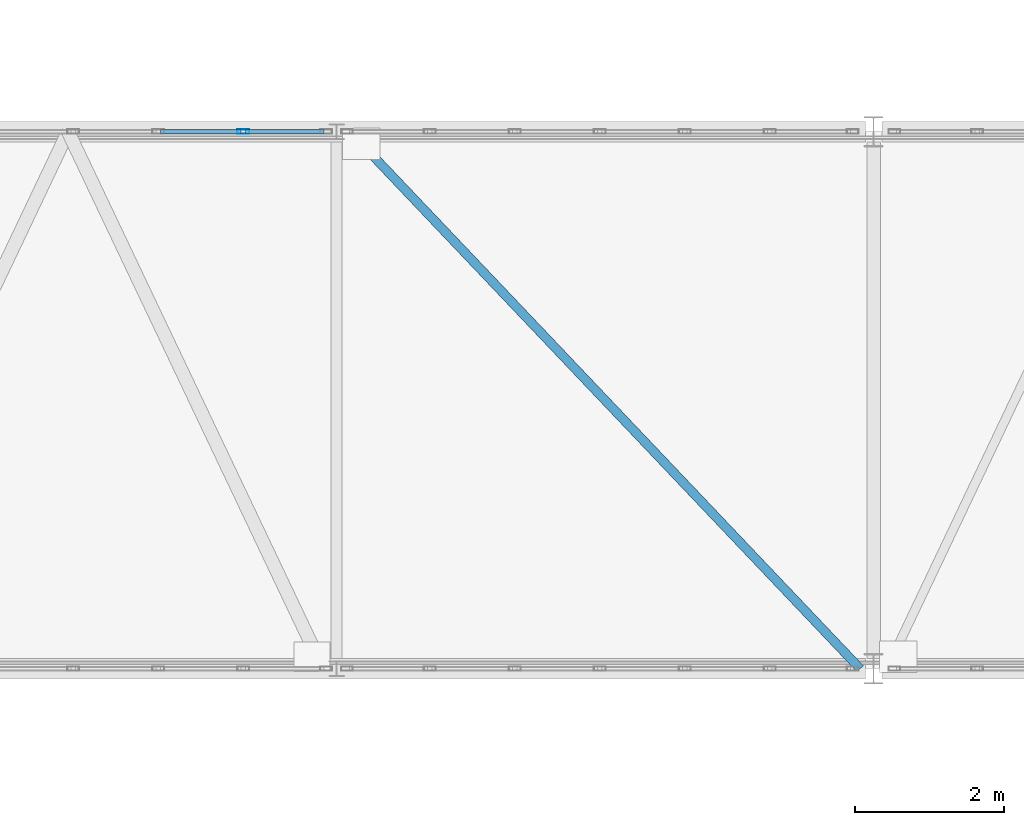
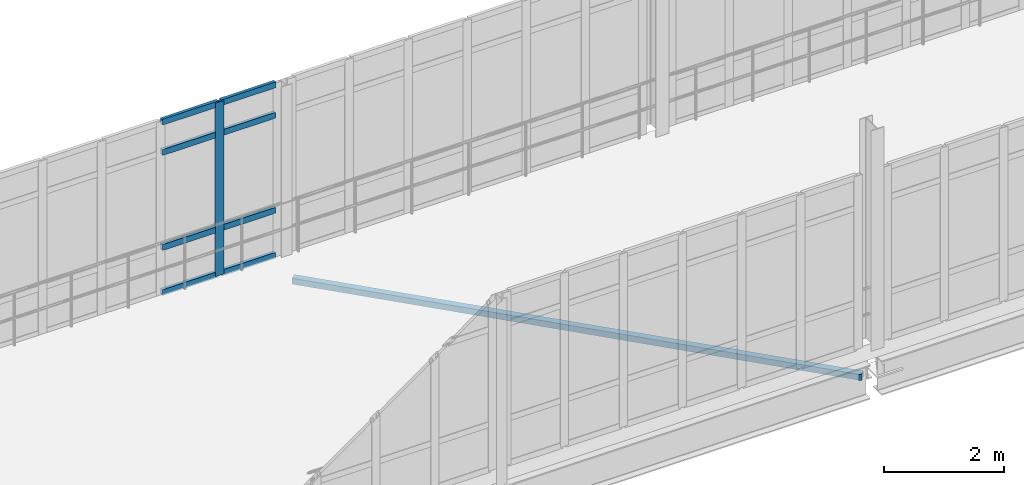
# One storey, part 27 of 116: 10 members, 1 element without a shape of its own.
"""IFC4 building model written with IfcOpenShell, lengths in metres."""

from ifc_helpers import new_model, si_unit, direction, frame, origin, origin_2d, place, context, subcontext, project, spatial, hollow_rectangle, extrude, material, material_profile, profile_set, type_object, element, aggregate, save


model = new_model("IFC4")

# Units and contexts
model_context = context("Model", 3, precision=1e-05, world=origin(), true_north=direction((0.0, 1.0)))
body_context = subcontext(model_context, "Body", "Model", "MODEL_VIEW")
ifc_project = project(units=[si_unit("LENGTHUNIT", "METRE"), si_unit("AREAUNIT", "SQUARE_METRE"), si_unit("VOLUMEUNIT", "CUBIC_METRE"), si_unit("PLANEANGLEUNIT", "RADIAN"), si_unit("MASSUNIT", "GRAM", prefix="KILO")], contexts=[model_context])

# Site, building, storey
site_placement = place(None, origin())
site = spatial("IfcSite", under=ifc_project, at=site_placement, CompositionType="ELEMENT")
building_placement = place(site_placement, origin())
building = spatial("IfcBuilding", under=site, at=building_placement, Name="Kalluvel Institute of Natural Sciences", CompositionType="ELEMENT")
storey_placement = place(building_placement, frame((0.0, 0.0, 14.39990234375)))
storey = spatial("IfcBuildingStorey", under=building, at=storey_placement, Name="L03", CompositionType="ELEMENT", Elevation=14.39990234375)

# Curtain wall, members
ifc_material_1 = material(Name="Aluminium AW-6063 T6", Category="aluminium")
curtain_wall_type = type_object("IfcCurtainWallType", Name="CW-BRG-45", PredefinedType="USERDEFINED", material=ifc_material_1)
curtain_wall_placement = place(storey_placement, origin())
curtain_wall = element("IfcCurtainWall", 1, at=curtain_wall_placement, inside=storey, type_object=curtain_wall_type, Name="L03 Gothic lancet curtain wall CWA-L03-X646-Y356", ObjectType="UNITISED LANCET FACADE", PredefinedType="USERDEFINED")
ifc_material_profile_1 = material_profile(ifc_material_1, hollow_rectangle(XDim=0.06005859375, YDim=0.159912109375, WallThickness=0.00390625, at=origin_2d()), Name="CWM 60x160")
ifc_profile_set_1 = profile_set([ifc_material_profile_1], Name="Aluminium AW-6063 T6")
member_type_1 = type_object("IfcMemberType", Name="CWM-60x160", PredefinedType="MULLION", material=ifc_profile_set_1)
member_1_placement = place(storey_placement, frame((70.35009765625, 35.60009765625, 0.0), z_axis=(0.0, 0.0, 1.0), x_axis=(0.0, 1.0, 0.0)))
member_1 = element("IfcMember", 2, at=member_1_placement, type_object=member_type_1, Name="CW-07 mullion 6", PredefinedType="MULLION", context=body_context, shape_type="SweptSolid", body=[
    extrude(hollow_rectangle(XDim=0.06005859375, YDim=0.159912109375, WallThickness=0.00390625, at=origin_2d()), origin(), (0.0, 0.0, 1.0), 3.5400390625),
])
ifc_material_profile_2 = material_profile(ifc_material_1, hollow_rectangle(XDim=0.06005859375, YDim=0.1201171875, WallThickness=0.00390625, at=origin_2d()), Name="CWT 60x120")
ifc_profile_set_2 = profile_set([ifc_material_profile_2], Name="Aluminium AW-6063 T6")
member_type_2 = type_object("IfcMemberType", Name="CWT-60x120", PredefinedType="USERDEFINED", material=ifc_profile_set_2)
member_2_placement = place(storey_placement, frame((69.239990234375, 35.60009765625, 0.030029296875), z_axis=(1.0, 0.0, 0.0), x_axis=(0.0, 1.0, 0.0)))
member_2 = element("IfcMember", 3, at=member_2_placement, type_object=member_type_2, Name="CW-07 transom 5.1", ObjectType="TRANSOM", PredefinedType="USERDEFINED", context=body_context, shape_type="SweptSolid", body=[
    extrude(hollow_rectangle(XDim=0.06005859375, YDim=0.1201171875, WallThickness=0.00390625, at=origin_2d()), origin(), (0.0, 0.0, 1.0), 1.080078125),
])
member_3_placement = place(storey_placement, frame((69.239990234375, 35.60009765625, 0.9501953125), z_axis=(1.0, 0.0, 0.0), x_axis=(0.0, 1.0, 0.0)))
member_3 = element("IfcMember", 4, at=member_3_placement, type_object=member_type_2, Name="CW-07 transom 5.2", ObjectType="TRANSOM", PredefinedType="USERDEFINED", context=body_context, shape_type="SweptSolid", body=[
    extrude(hollow_rectangle(XDim=0.06005859375, YDim=0.1201171875, WallThickness=0.00390625, at=origin_2d()), origin(), (0.0, 0.0, 1.0), 1.080078125),
])
member_4_placement = place(storey_placement, frame((69.239990234375, 35.60009765625, 2.89013671875), z_axis=(1.0, 0.0, 0.0), x_axis=(0.0, 1.0, 0.0)))
member_4 = element("IfcMember", 5, at=member_4_placement, type_object=member_type_2, Name="CW-07 transom 5.3", ObjectType="TRANSOM", PredefinedType="USERDEFINED", context=body_context, shape_type="SweptSolid", body=[
    extrude(hollow_rectangle(XDim=0.06005859375, YDim=0.1201171875, WallThickness=0.00390625, at=origin_2d()), origin(), (0.0, 0.0, 1.0), 1.080078125),
])
member_5_placement = place(storey_placement, frame((69.239990234375, 35.60009765625, 3.510009765625), z_axis=(1.0, 0.0, 0.0), x_axis=(0.0, 1.0, 0.0)))
member_5 = element("IfcMember", 6, at=member_5_placement, type_object=member_type_2, Name="CW-07 transom 5.4", ObjectType="TRANSOM", PredefinedType="USERDEFINED", context=body_context, shape_type="SweptSolid", body=[
    extrude(hollow_rectangle(XDim=0.06005859375, YDim=0.1201171875, WallThickness=0.00390625, at=origin_2d()), origin(), (0.0, 0.0, 1.0), 1.080078125),
])
member_6_placement = place(storey_placement, frame((70.3798828125, 35.60009765625, 0.030029296875), z_axis=(1.0, 0.0, 0.0), x_axis=(0.0, 1.0, 0.0)))
member_6 = element("IfcMember", 7, at=member_6_placement, type_object=member_type_2, Name="CW-07 transom 6.1", ObjectType="TRANSOM", PredefinedType="USERDEFINED", context=body_context, shape_type="SweptSolid", body=[
    extrude(hollow_rectangle(XDim=0.06005859375, YDim=0.1201171875, WallThickness=0.00390625, at=origin_2d()), origin(), (0.0, 0.0, 1.0), 1.050048828125),
])
member_7_placement = place(storey_placement, frame((70.3798828125, 35.60009765625, 0.9501953125), z_axis=(1.0, 0.0, 0.0), x_axis=(0.0, 1.0, 0.0)))
member_7 = element("IfcMember", 8, at=member_7_placement, type_object=member_type_2, Name="CW-07 transom 6.2", ObjectType="TRANSOM", PredefinedType="USERDEFINED", context=body_context, shape_type="SweptSolid", body=[
    extrude(hollow_rectangle(XDim=0.06005859375, YDim=0.1201171875, WallThickness=0.00390625, at=origin_2d()), origin(), (0.0, 0.0, 1.0), 1.050048828125),
])
member_8_placement = place(storey_placement, frame((70.3798828125, 35.60009765625, 2.89013671875), z_axis=(1.0, 0.0, 0.0), x_axis=(0.0, 1.0, 0.0)))
member_8 = element("IfcMember", 9, at=member_8_placement, type_object=member_type_2, Name="CW-07 transom 6.3", ObjectType="TRANSOM", PredefinedType="USERDEFINED", context=body_context, shape_type="SweptSolid", body=[
    extrude(hollow_rectangle(XDim=0.06005859375, YDim=0.1201171875, WallThickness=0.00390625, at=origin_2d()), origin(), (0.0, 0.0, 1.0), 1.050048828125),
])
member_9_placement = place(storey_placement, frame((70.3798828125, 35.60009765625, 3.510009765625), z_axis=(1.0, 0.0, 0.0), x_axis=(0.0, 1.0, 0.0)))
member_9 = element("IfcMember", 10, at=member_9_placement, type_object=member_type_2, Name="CW-07 transom 6.4", ObjectType="TRANSOM", PredefinedType="USERDEFINED", context=body_context, shape_type="SweptSolid", body=[
    extrude(hollow_rectangle(XDim=0.06005859375, YDim=0.1201171875, WallThickness=0.00390625, at=origin_2d()), origin(), (0.0, 0.0, 1.0), 1.050048828125),
])
aggregate(curtain_wall, [member_1, member_2, member_3, member_4, member_5, member_6, member_7, member_8, member_9])

# Member
ifc_material_2 = material(Name="Steel E350 Grade 350", Category="steel")
ifc_material_profile_3 = material_profile(ifc_material_2, hollow_rectangle(XDim=0.1201171875, YDim=0.1201171875, WallThickness=0.006103515625, at=origin_2d()), Name="SHS 120x120x6")
ifc_profile_set_3 = profile_set([ifc_material_profile_3], Name="Steel E350 Grade 350")
member_type_3 = type_object("IfcMemberType", Name="MB-BR-SHS120", PredefinedType="BRACE", material=ifc_profile_set_3)
member_10_placement = place(storey_placement, frame((71.780029296875, 35.60009765625, -0.599853515625), z_axis=(0.688744293312, -0.725004343732, 0.0), x_axis=(0.725004343732, 0.688744293312, 0.0)))
element("IfcMember", 11, at=member_10_placement, inside=storey, type_object=member_type_3, Name="L03 link bridge horizontal plan brace L03-06-1", PredefinedType="BRACE", context=body_context, shape_type="SweptSolid", body=[
    extrude(hollow_rectangle(XDim=0.1201171875, YDim=0.1201171875, WallThickness=0.006103515625, at=origin_2d()), origin(), (0.0, 0.0, 1.0), 9.93115234375),
])

save(model, "model.ifc")
